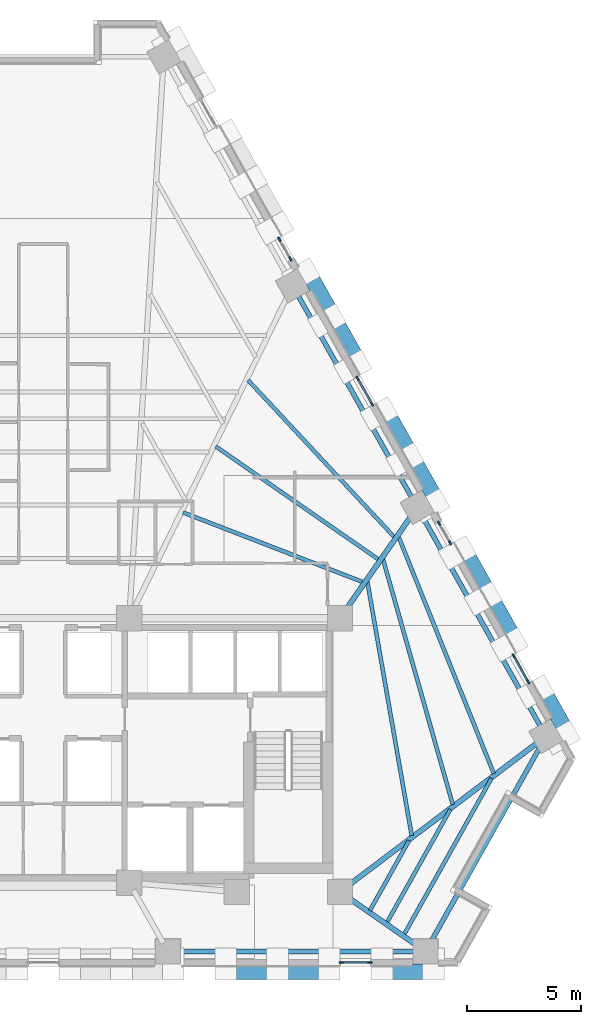
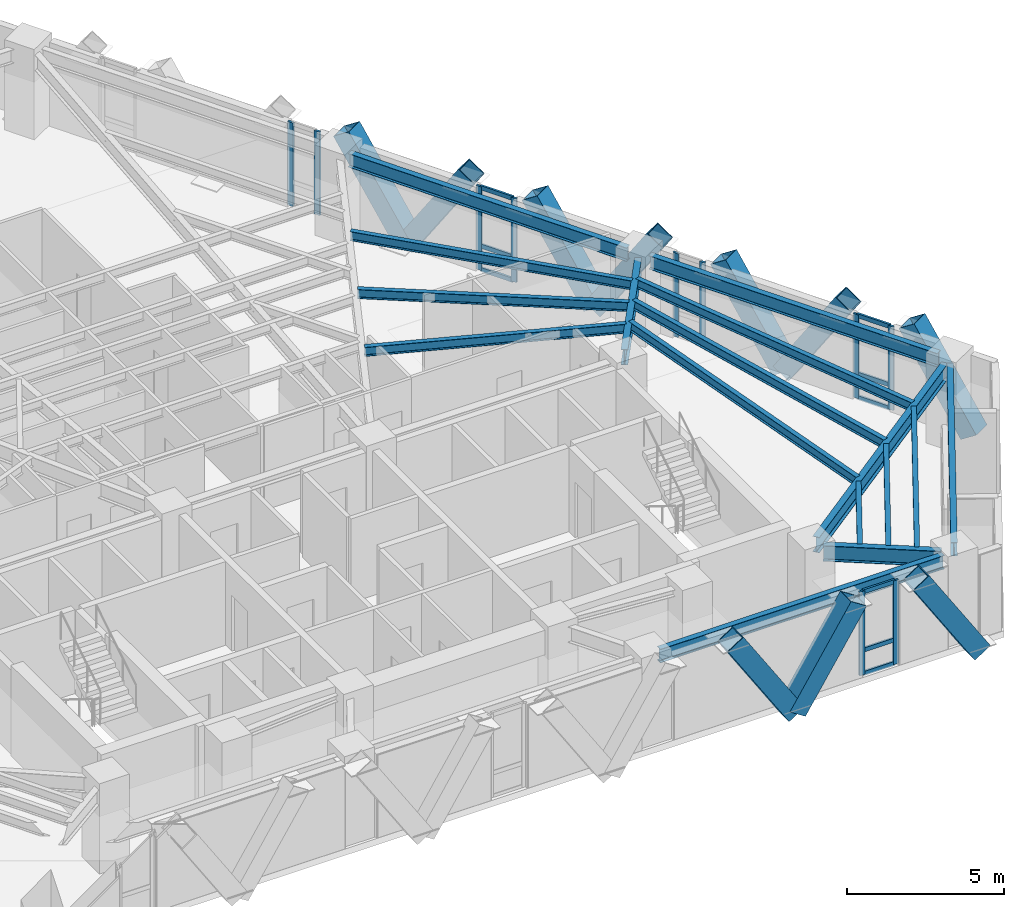
# One storey, part 4 of 13: 29 members, 16 beams, 5 elements without a shape of their own.
"""IFC4 building model written with IfcOpenShell, lengths in metres."""

from ifc_helpers import new_model, si_unit, direction, frame, origin, origin_2d, place, context, subcontext, project, spatial, rectangle, hollow_rectangle, i_section, extrude, material, material_profile, profile_set, type_object, element, aggregate, save


model = new_model("IFC4")

# Units and contexts
model_context = context("Model", 3, precision=1e-05, world=origin(), true_north=direction((0.0, 1.0)))
body_context = subcontext(model_context, "Body", "Model", "MODEL_VIEW")
ifc_project = project(units=[si_unit("LENGTHUNIT", "METRE"), si_unit("AREAUNIT", "SQUARE_METRE"), si_unit("VOLUMEUNIT", "CUBIC_METRE"), si_unit("PLANEANGLEUNIT", "RADIAN"), si_unit("MASSUNIT", "GRAM", prefix="KILO")], contexts=[model_context])

# Site, building, storey
site_placement = place(None, origin())
site = spatial("IfcSite", under=ifc_project, at=site_placement, CompositionType="ELEMENT")
building_placement = place(site_placement, origin())
building = spatial("IfcBuilding", under=site, at=building_placement, Name="Quenlor Broadcast Tower", CompositionType="ELEMENT")
storey_placement = place(building_placement, frame((0.0, 0.0, 98.5)))
storey = spatial("IfcBuildingStorey", under=building, at=storey_placement, Name="L26", CompositionType="ELEMENT", Elevation=98.5)

# Curtain wall, members
ifc_material_1 = material(Name="Architectural Terracotta and Low-E Glazing", Category="masonry")
curtain_wall_type = type_object("IfcCurtainWallType", Name="Unitised Terracotta Curtain Wall System Z2", PredefinedType="NOTDEFINED", material=ifc_material_1)
curtain_wall_1_placement = place(storey_placement, origin())
curtain_wall_1 = element("IfcCurtainWall", 1, at=curtain_wall_1_placement, inside=storey, type_object=curtain_wall_type, Name="L26 Curtain Wall CW2 (L26-SA-G1)", PredefinedType="NOTDEFINED")
ifc_material_2 = material(Name="Aluminium 6063-T6", Category="aluminium")
ifc_material_profile_1 = material_profile(ifc_material_2, rectangle(XDim=0.074951171875, YDim=0.199951171875, at=origin_2d()))
ifc_profile_set_1 = profile_set([ifc_material_profile_1], Name="Aluminium 6063-T6 MULL75x200")
member_type_1 = type_object("IfcMemberType", Name="CW2 Aluminium Mullion MULL_CW2", PredefinedType="MULLION", material=ifc_profile_set_1)
member_1_placement = place(storey_placement, frame((14.254150390625, -19.840087890625, 0.0), z_axis=(0.0, 0.0, 1.0), x_axis=(0.0, -1.0, 0.0)))
member_1 = element("IfcMember", 2, at=member_1_placement, type_object=member_type_1, Name="CW2 mullion 1", PredefinedType="MULLION", context=body_context, shape_type="SweptSolid", body=[
    extrude(rectangle(XDim=0.074951171875, YDim=0.199951171875, at=origin_2d()), origin(), (0.0, 0.0, 1.0), 3.25),
])
member_2_placement = place(storey_placement, frame((13.01611328125, -19.840087890625, 0.0), z_axis=(0.0, 0.0, 1.0), x_axis=(0.0, -1.0, 0.0)))
member_2 = element("IfcMember", 3, at=member_2_placement, type_object=member_type_1, Name="CW2 mullion 2", PredefinedType="MULLION", context=body_context, shape_type="SweptSolid", body=[
    extrude(rectangle(XDim=0.074951171875, YDim=0.199951171875, at=origin_2d()), origin(), (0.0, 0.0, 1.0), 3.25),
])

curtain_wall_2_placement = place(storey_placement, origin())
curtain_wall_2 = element("IfcCurtainWall", 4, at=curtain_wall_2_placement, inside=storey, type_object=curtain_wall_type, Name="L26 Curtain Wall CW2 (L26-NEA-G2)", PredefinedType="NOTDEFINED")
member_3_placement = place(storey_placement, frame((10.306396484375, 11.751220703125, 0.0), z_axis=(0.0, 0.0, 1.0), x_axis=(0.871580587336, 0.490252261371, 0.0)))
member_3 = element("IfcMember", 5, at=member_3_placement, type_object=member_type_1, Name="CW2 mullion 1", PredefinedType="MULLION", context=body_context, shape_type="SweptSolid", body=[
    extrude(rectangle(XDim=0.074951171875, YDim=0.199951171875, at=origin_2d()), origin(), (0.0, 0.0, 1.0), 3.25),
])
member_4_placement = place(storey_placement, frame((10.7880859375, 10.894775390625, 0.0), z_axis=(0.0, 0.0, 1.0), x_axis=(0.871580587336, 0.490252261371, 0.0)))
member_4 = element("IfcMember", 6, at=member_4_placement, type_object=member_type_1, Name="CW2 mullion 2", PredefinedType="MULLION", context=body_context, shape_type="SweptSolid", body=[
    extrude(rectangle(XDim=0.074951171875, YDim=0.199951171875, at=origin_2d()), origin(), (0.0, 0.0, 1.0), 3.25),
])
aggregate(curtain_wall_2, [member_3, member_4])

curtain_wall_3_placement = place(storey_placement, origin())
curtain_wall_3 = element("IfcCurtainWall", 7, at=curtain_wall_3_placement, inside=storey, type_object=curtain_wall_type, Name="L26 Curtain Wall CW2 (L26-NEC-G1)", PredefinedType="NOTDEFINED")
member_5_placement = place(storey_placement, frame((17.282958984375, -0.651611328125, 0.0), z_axis=(0.0, 0.0, 1.0), x_axis=(0.871580587336, 0.490252261371, 0.0)))
member_5 = element("IfcMember", 8, at=member_5_placement, type_object=member_type_1, Name="CW2 mullion 1", PredefinedType="MULLION", context=body_context, shape_type="SweptSolid", body=[
    extrude(rectangle(XDim=0.074951171875, YDim=0.199951171875, at=origin_2d()), origin(), (0.0, 0.0, 1.0), 3.25),
])
member_6_placement = place(storey_placement, frame((17.7646484375, -1.508056640625, 0.0), z_axis=(0.0, 0.0, 1.0), x_axis=(0.871580587336, 0.490252261371, 0.0)))
member_6 = element("IfcMember", 9, at=member_6_placement, type_object=member_type_1, Name="CW2 mullion 2", PredefinedType="MULLION", context=body_context, shape_type="SweptSolid", body=[
    extrude(rectangle(XDim=0.074951171875, YDim=0.199951171875, at=origin_2d()), origin(), (0.0, 0.0, 1.0), 3.25),
])
aggregate(curtain_wall_3, [member_5, member_6])

curtain_wall_4_placement = place(storey_placement, origin())
curtain_wall_4 = element("IfcCurtainWall", 10, at=curtain_wall_4_placement, inside=storey, type_object=curtain_wall_type, Name="L26 Curtain Wall CW2 (L26-NEC-G2)", PredefinedType="NOTDEFINED")
member_7_placement = place(storey_placement, frame((20.545654296875, -6.451904296875, 0.0), z_axis=(0.0, 0.0, 1.0), x_axis=(0.871565749621, 0.490278639232, 0.0)))
member_7 = element("IfcMember", 11, at=member_7_placement, type_object=member_type_1, Name="CW2 mullion 1", PredefinedType="MULLION", context=body_context, shape_type="SweptSolid", body=[
    extrude(rectangle(XDim=0.074951171875, YDim=0.199951171875, at=origin_2d()), origin(), (0.0, 0.0, 1.0), 3.25),
])
member_8_placement = place(storey_placement, frame((21.177734375, -7.57568359375, 0.0), z_axis=(0.0, 0.0, 1.0), x_axis=(0.871565749621, 0.490278639232, 0.0)))
member_8 = element("IfcMember", 12, at=member_8_placement, type_object=member_type_1, Name="CW2 mullion 2", PredefinedType="MULLION", context=body_context, shape_type="SweptSolid", body=[
    extrude(rectangle(XDim=0.074951171875, YDim=0.199951171875, at=origin_2d()), origin(), (0.0, 0.0, 1.0), 3.25),
])

curtain_wall_5_placement = place(storey_placement, origin())
curtain_wall_5 = element("IfcCurtainWall", 13, at=curtain_wall_5_placement, inside=storey, type_object=curtain_wall_type, Name="L26 Curtain Wall CW2 (L26-NE-G1)", PredefinedType="NOTDEFINED")
member_9_placement = place(storey_placement, frame((13.719482421875, 5.683349609375, 0.0), z_axis=(0.0, 0.0, 1.0), x_axis=(0.871579452423, 0.490254279037, 0.0)))
member_9 = element("IfcMember", 14, at=member_9_placement, type_object=member_type_1, Name="CW2 mullion 1", PredefinedType="MULLION", context=body_context, shape_type="SweptSolid", body=[
    extrude(rectangle(XDim=0.074951171875, YDim=0.199951171875, at=origin_2d()), origin(), (0.0, 0.0, 1.0), 3.25),
])
member_10_placement = place(storey_placement, frame((14.3515625, 4.559814453125, 0.0), z_axis=(0.0, 0.0, 1.0), x_axis=(0.871579452423, 0.490254279037, 0.0)))
member_10 = element("IfcMember", 15, at=member_10_placement, type_object=member_type_1, Name="CW2 mullion 2", PredefinedType="MULLION", context=body_context, shape_type="SweptSolid", body=[
    extrude(rectangle(XDim=0.074951171875, YDim=0.199951171875, at=origin_2d()), origin(), (0.0, 0.0, 1.0), 3.25),
])

# Member
ifc_material_3 = material(Name="Aluminium 6063-T6", Category="aluminium")
ifc_material_profile_2 = material_profile(ifc_material_3, rectangle(XDim=0.074951171875, YDim=0.1650390625, at=origin_2d()))
ifc_profile_set_2 = profile_set([ifc_material_profile_2], Name="Aluminium 6063-T6 TRAN75x165")
member_type_2 = type_object("IfcMemberType", Name="CW2 Aluminium Transom TRAN_CW2", PredefinedType="USERDEFINED", material=ifc_profile_set_2)
member_11_placement = place(storey_placement, frame((14.216796875, -19.840087890625, 0.03759765625), z_axis=(-1.0, 0.0, 0.0), x_axis=(0.0, -1.0, 0.0)))
member_11 = element("IfcMember", 16, at=member_11_placement, type_object=member_type_2, Name="CW2 transom 1.1", ObjectType="TRANSOM", PredefinedType="USERDEFINED", context=body_context, shape_type="SweptSolid", body=[
    extrude(rectangle(XDim=0.074951171875, YDim=0.1650390625, at=origin_2d()), origin(), (0.0, 0.0, 1.0), 1.1630859375),
])

member_12_placement = place(storey_placement, frame((14.216796875, -19.840087890625, 0.949951171875), z_axis=(-1.0, 0.0, 0.0), x_axis=(0.0, -1.0, 0.0)))
member_12 = element("IfcMember", 17, at=member_12_placement, type_object=member_type_2, Name="CW2 transom 1.2", ObjectType="TRANSOM", PredefinedType="USERDEFINED", context=body_context, shape_type="SweptSolid", body=[
    extrude(rectangle(XDim=0.074951171875, YDim=0.1650390625, at=origin_2d()), origin(), (0.0, 0.0, 1.0), 1.1630859375),
])

member_13_placement = place(storey_placement, frame((14.216796875, -19.840087890625, 3.21240234375), z_axis=(-1.0, 0.0, 0.0), x_axis=(0.0, -1.0, 0.0)))
member_13 = element("IfcMember", 18, at=member_13_placement, type_object=member_type_2, Name="CW2 transom 1.3", ObjectType="TRANSOM", PredefinedType="USERDEFINED", context=body_context, shape_type="SweptSolid", body=[
    extrude(rectangle(XDim=0.074951171875, YDim=0.1650390625, at=origin_2d()), origin(), (0.0, 0.0, 1.0), 1.1630859375),
])

aggregate(curtain_wall_1, [member_1, member_2, member_11, member_12, member_13])

member_14_placement = place(storey_placement, frame((20.56396484375, -6.484619140625, 0.03759765625), z_axis=(0.490347143438, -0.871527210661, 0.0), x_axis=(0.871527210661, 0.490347143438, 0.0)))
member_14 = element("IfcMember", 19, at=member_14_placement, type_object=member_type_2, Name="CW2 transom 1.1", ObjectType="TRANSOM", PredefinedType="USERDEFINED", context=body_context, shape_type="SweptSolid", body=[
    extrude(rectangle(XDim=0.074951171875, YDim=0.1650390625, at=origin_2d()), origin(), (0.0, 0.0, 1.0), 1.21435546875),
])

member_15_placement = place(storey_placement, frame((20.56396484375, -6.484619140625, 0.949951171875), z_axis=(0.490347143438, -0.871527210661, 0.0), x_axis=(0.871527210661, 0.490347143438, 0.0)))
member_15 = element("IfcMember", 20, at=member_15_placement, type_object=member_type_2, Name="CW2 transom 1.2", ObjectType="TRANSOM", PredefinedType="USERDEFINED", context=body_context, shape_type="SweptSolid", body=[
    extrude(rectangle(XDim=0.074951171875, YDim=0.1650390625, at=origin_2d()), origin(), (0.0, 0.0, 1.0), 1.21435546875),
])

member_16_placement = place(storey_placement, frame((20.56396484375, -6.484619140625, 3.21240234375), z_axis=(0.490347143438, -0.871527210661, 0.0), x_axis=(0.871527210661, 0.490347143438, 0.0)))
member_16 = element("IfcMember", 21, at=member_16_placement, type_object=member_type_2, Name="CW2 transom 1.3", ObjectType="TRANSOM", PredefinedType="USERDEFINED", context=body_context, shape_type="SweptSolid", body=[
    extrude(rectangle(XDim=0.074951171875, YDim=0.1650390625, at=origin_2d()), origin(), (0.0, 0.0, 1.0), 1.21435546875),
])

aggregate(curtain_wall_4, [member_7, member_8, member_14, member_15, member_16])

member_17_placement = place(storey_placement, frame((13.73779296875, 5.650634765625, 0.03759765625), z_axis=(0.490433072585, -0.871478858788, 0.0), x_axis=(0.871478858788, 0.490433072585, 0.0)))
member_17 = element("IfcMember", 22, at=member_17_placement, type_object=member_type_2, Name="CW2 transom 1.1", ObjectType="TRANSOM", PredefinedType="USERDEFINED", context=body_context, shape_type="SweptSolid", body=[
    extrude(rectangle(XDim=0.074951171875, YDim=0.1650390625, at=origin_2d()), origin(), (0.0, 0.0, 1.0), 1.214111328125),
])

member_18_placement = place(storey_placement, frame((13.73779296875, 5.650634765625, 0.949951171875), z_axis=(0.490433072585, -0.871478858788, 0.0), x_axis=(0.871478858788, 0.490433072585, 0.0)))
member_18 = element("IfcMember", 23, at=member_18_placement, type_object=member_type_2, Name="CW2 transom 1.2", ObjectType="TRANSOM", PredefinedType="USERDEFINED", context=body_context, shape_type="SweptSolid", body=[
    extrude(rectangle(XDim=0.074951171875, YDim=0.1650390625, at=origin_2d()), origin(), (0.0, 0.0, 1.0), 1.214111328125),
])

member_19_placement = place(storey_placement, frame((13.73779296875, 5.650634765625, 3.21240234375), z_axis=(0.490433072585, -0.871478858788, 0.0), x_axis=(0.871478858788, 0.490433072585, 0.0)))
member_19 = element("IfcMember", 24, at=member_19_placement, type_object=member_type_2, Name="CW2 transom 1.3", ObjectType="TRANSOM", PredefinedType="USERDEFINED", context=body_context, shape_type="SweptSolid", body=[
    extrude(rectangle(XDim=0.074951171875, YDim=0.1650390625, at=origin_2d()), origin(), (0.0, 0.0, 1.0), 1.214111328125),
])

aggregate(curtain_wall_5, [member_9, member_10, member_17, member_18, member_19])

# Members
ifc_material_4 = material(Name="Steel S355", Category="steel")
ifc_material_profile_3 = material_profile(ifc_material_4, hollow_rectangle(XDim=0.679931640625, YDim=0.679931640625, WallThickness=0.030029296875, at=origin_2d()))
ifc_profile_set_3 = profile_set([ifc_material_profile_3], Name="Steel S355 RHS680x680x30")
member_type_3 = type_object("IfcMemberType", Name="Perimeter Diagonal Lattice Brace Z2 Steel S355 RHS680x30", PredefinedType="BRACE", material=ifc_profile_set_3)
for number, where, z_axis, x_axis, name in (
    (25, (17.030517578125, -20.235107421875, -0.1201171875), (-0.539968035679, 0.0, 0.841685523485), (0.0, -1.0, 0.0), "L26 Perimeter Diamond Lattice S-C1S"),
    (26, (10.239990234375, -20.235107421875, -0.1201171875), (0.539968035679, 0.0, 0.841685523485), (0.0, 1.0, 0.0), "L26 Perimeter Diamond Lattice S-C1B"),
    (27, (10.212890625, -20.235107421875, -0.1201171875), (-0.539968035679, 0.0, 0.841685523485), (0.0, -1.0, 0.0), "L26 Perimeter Diamond Lattice S-C2S"),
):
    element("IfcMember", number, at=place(storey_placement, frame(where, z_axis=z_axis, x_axis=x_axis)), inside=storey, type_object=member_type_3, Name=name, PredefinedType="BRACE", context=body_context, shape_type="SweptSolid", body=[
        extrude(hollow_rectangle(XDim=0.679931640625, YDim=0.679931640625, WallThickness=0.030029296875, at=origin_2d()), origin(), (0.0, 0.0, 1.0), 4.158203125),
    ])
member_20_placement = place(storey_placement, frame((12.66650390625, 8.361083984375, -0.1201171875), z_axis=(-0.268634887212, 0.477637964099, 0.83647909276), x_axis=(-0.871603971106, -0.490210686901, 0.0)))
element("IfcMember", 28, at=member_20_placement, inside=storey, type_object=member_type_3, Name="L26 Perimeter Diamond Lattice NE-C2B", PredefinedType="BRACE", context=body_context, shape_type="SweptSolid", body=[
    extrude(hollow_rectangle(XDim=0.679931640625, YDim=0.679931640625, WallThickness=0.030029296875, at=origin_2d()), origin(), (0.0, 0.0, 1.0), 4.184326171875),
])
for number, where, z_axis, x_axis, name in (
    (29, (12.68017578125, 8.3369140625, -0.1201171875), (0.268642373731, -0.477592925498, 0.83650240439), (0.871578380919, 0.490256183964, 0.0), "L26 Perimeter Diamond Lattice NE-C3S"),
    (30, (16.07958984375, 2.29345703125, -0.1201171875), (-0.268696511206, 0.477585438485, 0.836489290913), (-0.871532878923, -0.490337068716, 0.0), "L26 Perimeter Diamond Lattice NE-C3B"),
    (31, (16.093017578125, 2.269287109375, -0.1201171875), (0.268696511206, -0.477585438485, 0.836489290913), (0.871532878923, 0.490337068716, 0.0), "L26 Perimeter Diamond Lattice NE-C4S"),
    (32, (19.49267578125, -3.774169921875, -0.1201171875), (-0.268696511206, 0.477585438485, 0.836489290913), (-0.871532878923, -0.490337068716, 0.0), "L26 Perimeter Diamond Lattice NE-C4B"),
    (33, (19.506103515625, -3.79833984375, -0.1201171875), (0.268696511206, -0.477585438485, 0.836489290913), (0.871532878923, 0.490337068716, 0.0), "L26 Perimeter Diamond Lattice NE-C5S"),
    (34, (22.90576171875, -9.841796875, -0.1201171875), (-0.268696511206, 0.477585438485, 0.836489290913), (-0.871532878923, -0.490337068716, 0.0), "L26 Perimeter Diamond Lattice NE-C5B"),
):
    element("IfcMember", number, at=place(storey_placement, frame(where, z_axis=z_axis, x_axis=x_axis)), inside=storey, type_object=member_type_3, Name=name, PredefinedType="BRACE", context=body_context, shape_type="SweptSolid", body=[
        extrude(hollow_rectangle(XDim=0.679931640625, YDim=0.679931640625, WallThickness=0.030029296875, at=origin_2d()), origin(), (0.0, 0.0, 1.0), 4.18408203125),
    ])

# Beams
ifc_material_5 = material(Name="Steel S355", Category="steel")
ifc_material_profile_4 = material_profile(ifc_material_5, i_section(OverallWidth=0.208984375, OverallDepth=0.5283203125, WebThickness=0.009521484375, FlangeThickness=0.01318359375, FilletRadius=0.013916015625, at=origin_2d()))
ifc_profile_set_4 = profile_set([ifc_material_profile_4], Name="Steel S355 530UB82.0")
beam_type_1 = type_object("IfcBeamType", Name="Perimeter Spandrel Beam Z2 Steel S355 530UB82.0", PredefinedType="SPANDREL", material=ifc_profile_set_4)
beam_1_placement = place(storey_placement, frame((5.853271484375, -19.35009765625, 2.98583984375), z_axis=(1.0, 0.0, 0.0), x_axis=(0.0, 1.0, 0.0)))
element("IfcBeam", 35, at=beam_1_placement, inside=storey, type_object=beam_type_1, Name="L26 Spandrel Beam S3-S4", PredefinedType="SPANDREL", context=body_context, shape_type="SweptSolid", body=[
    extrude(i_section(OverallWidth=0.208984375, OverallDepth=0.5283203125, WebThickness=0.009521484375, FlangeThickness=0.01318359375, FilletRadius=0.013916015625, at=origin_2d()), origin(), (0.0, 0.0, 1.0), 10.42919921875),
])
beam_2_placement = place(storey_placement, frame((16.892822265625, -18.9921875, 2.98583984375), z_axis=(0.488749102779, 0.872424389006, 0.0), x_axis=(-0.872424389006, 0.488749102779, 0.0)))
element("IfcBeam", 36, at=beam_2_placement, inside=storey, type_object=beam_type_1, Name="L26 Spandrel Beam S4-NE1", PredefinedType="SPANDREL", context=body_context, shape_type="SweptSolid", body=[
    extrude(i_section(OverallWidth=0.208984375, OverallDepth=0.5283203125, WebThickness=0.009521484375, FlangeThickness=0.01318359375, FilletRadius=0.013916015625, at=origin_2d()), origin(), (0.0, 0.0, 1.0), 9.947021484375),
])
beam_3_placement = place(storey_placement, frame((21.753662109375, -9.59912109375, 2.98583984375), z_axis=(-0.490263415828, 0.871574313011, 0.0), x_axis=(-0.871574313011, -0.490263415828, 0.0)))
element("IfcBeam", 37, at=beam_3_placement, inside=storey, type_object=beam_type_1, Name="L26 Spandrel Beam NE1-NE2", PredefinedType="SPANDREL", context=body_context, shape_type="SweptSolid", body=[
    extrude(i_section(OverallWidth=0.208984375, OverallDepth=0.5283203125, WebThickness=0.009521484375, FlangeThickness=0.01318359375, FilletRadius=0.013916015625, at=origin_2d()), origin(), (0.0, 0.0, 1.0), 10.65283203125),
])
beam_4_placement = place(storey_placement, frame((16.129150390625, 0.400146484375, 2.98583984375), z_axis=(-0.49026462139, 0.871573634878, 0.0), x_axis=(-0.871573634878, -0.49026462139, 0.0)))
element("IfcBeam", 38, at=beam_4_placement, inside=storey, type_object=beam_type_1, Name="L26 Spandrel Beam NE2-NE3", PredefinedType="SPANDREL", context=body_context, shape_type="SweptSolid", body=[
    extrude(i_section(OverallWidth=0.208984375, OverallDepth=0.5283203125, WebThickness=0.009521484375, FlangeThickness=0.01318359375, FilletRadius=0.013916015625, at=origin_2d()), origin(), (0.0, 0.0, 1.0), 10.28271484375),
])
ifc_material_6 = material(Name="Steel S355", Category="steel")
ifc_material_profile_5 = material_profile(ifc_material_6, i_section(OverallWidth=0.172119140625, OverallDepth=0.358642578125, WebThickness=0.008056640625, FlangeThickness=0.012939453125, FilletRadius=0.011474609375, at=origin_2d()))
ifc_profile_set_5 = profile_set([ifc_material_profile_5], Name="Steel S355 360UB56.7")
beam_type_2 = type_object("IfcBeamType", Name="Tower Composite Joist Z2-Z3 Steel S355 360UB56.7", PredefinedType="JOIST", material=ifc_profile_set_5)
beam_5_placement = place(storey_placement, frame((13.95703125, -3.221435546875, 3.07080078125), z_axis=(-0.932542579586, 0.361060018916, 0.0), x_axis=(-0.361060018916, -0.932542579586, 0.0)))
element("IfcBeam", 39, at=beam_5_placement, inside=storey, type_object=beam_type_2, Name="L26 Secondary Composite Joist 10", PredefinedType="JOIST", context=body_context, shape_type="SweptSolid", body=[
    extrude(i_section(OverallWidth=0.172119140625, OverallDepth=0.358642578125, WebThickness=0.008056640625, FlangeThickness=0.012939453125, FilletRadius=0.011474609375, at=origin_2d()), origin(), (0.0, 0.0, 1.0), 8.416259765625),
])
beam_6_placement = place(storey_placement, frame((14.641845703125, -2.236083984375, 3.07080078125), z_axis=(-0.821385737622, 0.570373097219, 0.0), x_axis=(-0.570373097219, -0.821385737622, 0.0)))
element("IfcBeam", 40, at=beam_6_placement, inside=storey, type_object=beam_type_2, Name="L26 Secondary Composite Joist 11", PredefinedType="JOIST", context=body_context, shape_type="SweptSolid", body=[
    extrude(i_section(OverallWidth=0.172119140625, OverallDepth=0.358642578125, WebThickness=0.008056640625, FlangeThickness=0.012939453125, FilletRadius=0.011474609375, at=origin_2d()), origin(), (0.0, 0.0, 1.0), 8.662109375),
])
beam_7_placement = place(storey_placement, frame((15.3291015625, -1.254638671875, 3.07080078125), z_axis=(-0.681880655944, 0.73146344478, 0.0), x_axis=(-0.73146344478, -0.681880655944, 0.0)))
element("IfcBeam", 41, at=beam_7_placement, inside=storey, type_object=beam_type_2, Name="L26 Secondary Composite Joist 12", PredefinedType="JOIST", context=body_context, shape_type="SweptSolid", body=[
    extrude(i_section(OverallWidth=0.172119140625, OverallDepth=0.358642578125, WebThickness=0.008056640625, FlangeThickness=0.012939453125, FilletRadius=0.011474609375, at=origin_2d()), origin(), (0.0, 0.0, 1.0), 9.365234375),
])
beam_8_placement = place(storey_placement, frame((16.087890625, -14.29345703125, 3.07080078125), z_axis=(-0.172120396521, 0.985075920476, 0.0), x_axis=(-0.985075920476, -0.172120396521, 0.0)))
element("IfcBeam", 42, at=beam_8_placement, inside=storey, type_object=beam_type_2, Name="L26 Secondary Composite Joist 16", PredefinedType="JOIST", context=body_context, shape_type="SweptSolid", body=[
    extrude(i_section(OverallWidth=0.172119140625, OverallDepth=0.358642578125, WebThickness=0.008056640625, FlangeThickness=0.012939453125, FilletRadius=0.011474609375, at=origin_2d()), origin(), (0.0, 0.0, 1.0), 11.27783203125),
])
beam_9_placement = place(storey_placement, frame((17.880615234375, -12.9365234375, 3.07080078125), z_axis=(-0.273563993601, 0.96185380459, 0.0), x_axis=(-0.96185380459, -0.273563993601, 0.0)))
element("IfcBeam", 43, at=beam_9_placement, inside=storey, type_object=beam_type_2, Name="L26 Secondary Composite Joist 17", PredefinedType="JOIST", context=body_context, shape_type="SweptSolid", body=[
    extrude(i_section(OverallWidth=0.172119140625, OverallDepth=0.358642578125, WebThickness=0.008056640625, FlangeThickness=0.012939453125, FilletRadius=0.011474609375, at=origin_2d()), origin(), (0.0, 0.0, 1.0), 11.1484375),
])
beam_10_placement = place(storey_placement, frame((19.673583984375, -11.580810546875, 3.07080078125), z_axis=(-0.373180395983, 0.92775880058, 0.0), x_axis=(-0.92775880058, -0.373180395983, 0.0)))
element("IfcBeam", 44, at=beam_10_placement, inside=storey, type_object=beam_type_2, Name="L26 Secondary Composite Joist 18", PredefinedType="JOIST", context=body_context, shape_type="SweptSolid", body=[
    extrude(i_section(OverallWidth=0.172119140625, OverallDepth=0.358642578125, WebThickness=0.008056640625, FlangeThickness=0.012939453125, FilletRadius=0.011474609375, at=origin_2d()), origin(), (0.0, 0.0, 1.0), 11.143798828125),
])
beam_11_placement = place(storey_placement, frame((14.261474609375, -17.564208984375, 3.07080078125), z_axis=(0.488730779643, 0.87243465373, 0.0), x_axis=(-0.87243465373, 0.488730779643, 0.0)))
element("IfcBeam", 45, at=beam_11_placement, inside=storey, type_object=beam_type_2, Name="L26 Secondary Composite Joist 22", PredefinedType="JOIST", context=body_context, shape_type="SweptSolid", body=[
    extrude(i_section(OverallWidth=0.172119140625, OverallDepth=0.358642578125, WebThickness=0.008056640625, FlangeThickness=0.012939453125, FilletRadius=0.011474609375, at=origin_2d()), origin(), (0.0, 0.0, 1.0), 3.500732421875),
])
beam_12_placement = place(storey_placement, frame((15.010009765625, -18.084228515625, 3.07080078125), z_axis=(0.488741419435, 0.87242869332, 0.0), x_axis=(-0.87242869332, 0.488741419435, 0.0)))
element("IfcBeam", 46, at=beam_12_placement, inside=storey, type_object=beam_type_2, Name="L26 Secondary Composite Joist 23", PredefinedType="JOIST", context=body_context, shape_type="SweptSolid", body=[
    extrude(i_section(OverallWidth=0.172119140625, OverallDepth=0.358642578125, WebThickness=0.008056640625, FlangeThickness=0.012939453125, FilletRadius=0.011474609375, at=origin_2d()), origin(), (0.0, 0.0, 1.0), 5.654052734375),
])
beam_13_placement = place(storey_placement, frame((15.758544921875, -18.604248046875, 3.07080078125), z_axis=(0.488732857155, 0.872433489922, 0.0), x_axis=(-0.872433489922, 0.488732857155, 0.0)))
element("IfcBeam", 47, at=beam_13_placement, inside=storey, type_object=beam_type_2, Name="L26 Secondary Composite Joist 24", PredefinedType="JOIST", context=body_context, shape_type="SweptSolid", body=[
    extrude(i_section(OverallWidth=0.172119140625, OverallDepth=0.358642578125, WebThickness=0.008056640625, FlangeThickness=0.012939453125, FilletRadius=0.011474609375, at=origin_2d()), origin(), (0.0, 0.0, 1.0), 7.807861328125),
])
ifc_material_7 = material(Name="Steel S355", Category="steel")
ifc_material_profile_6 = material_profile(ifc_material_7, i_section(OverallWidth=0.22802734375, OverallDepth=0.60205078125, WebThickness=0.010498046875, FlangeThickness=0.014892578125, FilletRadius=0.013916015625, at=origin_2d()))
ifc_profile_set_6 = profile_set([ifc_material_profile_6], Name="Steel S355 610UB101")
beam_type_3 = type_object("IfcBeamType", Name="Tower Primary Floor Beam Z2 Steel S355 610UB101", PredefinedType="BEAM", material=ifc_profile_set_6)
beam_14_placement = place(storey_placement, frame((16.355712890625, -19.1162109375, 2.948974609375), z_axis=(-0.821227395059, 0.570601056436, 0.0), x_axis=(-0.570601056436, -0.821227395059, 0.0)))
element("IfcBeam", 48, at=beam_14_placement, inside=storey, type_object=beam_type_3, Name="L26 Primary Radial Beam S4", PredefinedType="BEAM", context=body_context, shape_type="SweptSolid", body=[
    extrude(i_section(OverallWidth=0.22802734375, OverallDepth=0.60205078125, WebThickness=0.010498046875, FlangeThickness=0.014892578125, FilletRadius=0.013916015625, at=origin_2d()), origin(), (0.0, 0.0, 1.0), 3.766845703125),
])
beam_15_placement = place(storey_placement, frame((21.62744140625, -10.203369140625, 2.948974609375), z_axis=(-0.798298724007, -0.602261693327, 0.0), x_axis=(0.602261693327, -0.798298724007, 0.0)))
element("IfcBeam", 49, at=beam_15_placement, inside=storey, type_object=beam_type_3, Name="L26 Primary Radial Beam NE1", PredefinedType="BEAM", context=body_context, shape_type="SweptSolid", body=[
    extrude(i_section(OverallWidth=0.22802734375, OverallDepth=0.60205078125, WebThickness=0.010498046875, FlangeThickness=0.014892578125, FilletRadius=0.013916015625, at=origin_2d()), origin(), (0.0, 0.0, 1.0), 10.48974609375),
])
beam_16_placement = place(storey_placement, frame((16.095458984375, -0.293212890625, 2.948974609375), z_axis=(-0.572337599985, -0.820018092266, 0.0), x_axis=(0.820018092266, -0.572337599985, 0.0)))
element("IfcBeam", 50, at=beam_16_placement, inside=storey, type_object=beam_type_3, Name="L26 Primary Radial Beam NE2", PredefinedType="BEAM", context=body_context, shape_type="SweptSolid", body=[
    extrude(i_section(OverallWidth=0.22802734375, OverallDepth=0.60205078125, WebThickness=0.010498046875, FlangeThickness=0.014892578125, FilletRadius=0.013916015625, at=origin_2d()), origin(), (0.0, 0.0, 1.0), 5.11572265625),
])

save(model, "model.ifc")
